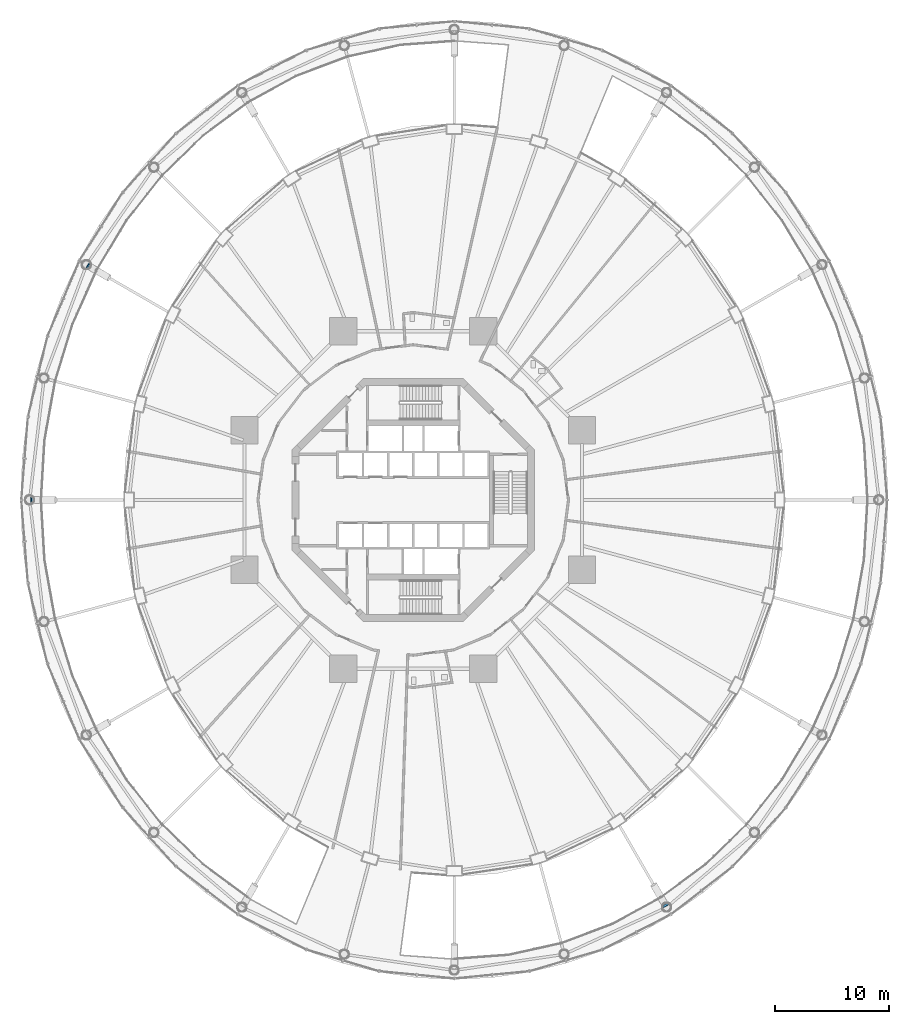
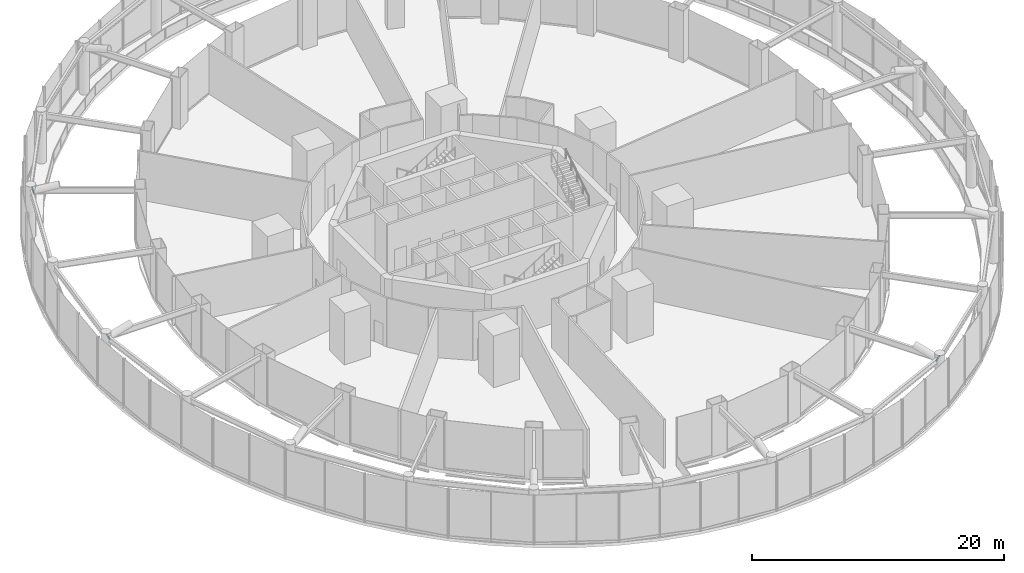
# One storey, part 48 of 52: 3 discrete accessories.
"""IFC4 building model written with IfcOpenShell, lengths in metres."""

from ifc_helpers import new_model, si_unit, direction, frame, origin, origin_2d, place, context, subcontext, project, spatial, circle, extrude, material, layer, layer_set, type_object, element, save


model = new_model("IFC4")

# Units and contexts
model_context = context("Model", 3, precision=1e-05, world=origin(), true_north=direction((0.0, 1.0)))
body_context = subcontext(model_context, "Body", "Model", "MODEL_VIEW")
ifc_project = project(units=[si_unit("LENGTHUNIT", "METRE"), si_unit("AREAUNIT", "SQUARE_METRE"), si_unit("VOLUMEUNIT", "CUBIC_METRE"), si_unit("PLANEANGLEUNIT", "RADIAN"), si_unit("MASSUNIT", "GRAM", prefix="KILO")], contexts=[model_context])

# Site, building, storey
site_placement = place(None, origin())
site = spatial("IfcSite", under=ifc_project, at=site_placement, CompositionType="ELEMENT")
building_placement = place(site_placement, origin())
building = spatial("IfcBuilding", under=site, at=building_placement, Name="Nagisa Residences", CompositionType="ELEMENT")
storey_placement = place(building_placement, frame((0.0, 0.0, 22.0)))
storey = spatial("IfcBuildingStorey", under=building, at=storey_placement, Name="L04", CompositionType="ELEMENT", Elevation=22.0)

# Discrete accessories
ifc_material = material(Name="Steel ASTM A572 Gr 50", Category="steel")
ifc_layer = layer(ifc_material, 0.030029296875)
ifc_layer_set = layer_set([ifc_layer], Name="Node plate")
discrete_accessory_type = type_object("IfcDiscreteAccessoryType", Name="Node plate", PredefinedType="ANCHORPLATE", material=ifc_layer_set)
for number, where, z_axis, x_axis, name in (
    (1, (-28.44287109375, 20.5, 4.39990234375), (-0.836018030887, 0.47888411478, -0.26785043708), (-0.497045922111, -0.867724236905, 0.0), "Node plate ST1T06"),
    (2, (-33.39990234375, 0.0, 4.39990234375), (-0.963633832913, 0.0, -0.267226188959), (0.0, -1.0, 0.0), "Node plate ST1T07"),
):
    element("IfcDiscreteAccessory", number, at=place(storey_placement, frame(where, z_axis=z_axis, x_axis=x_axis)), inside=storey, type_object=discrete_accessory_type, Name=name, PredefinedType="ANCHORPLATE", context=body_context, shape_type="SweptSolid", body=[
        extrude(circle(Radius=0.304931640625, at=origin_2d()), origin(), (0.0, 0.0, 1.0), 0.030029296875),
    ])
discrete_accessory_placement = place(storey_placement, frame((22.10009765625, -35.507080078125, 4.39990234375), z_axis=(0.482151028203, -0.833549235199, -0.269677693741), x_axis=(0.865619895442, 0.500701704226, 0.0)))
element("IfcDiscreteAccessory", 3, at=discrete_accessory_placement, inside=storey, type_object=discrete_accessory_type, Name="Node plate ST1T11", PredefinedType="ANCHORPLATE", context=body_context, shape_type="SweptSolid", body=[
    extrude(circle(Radius=0.304931640625, at=origin_2d()), origin(), (0.0, 0.0, 1.0), 0.02978515625),
])

save(model, "model.ifc")
